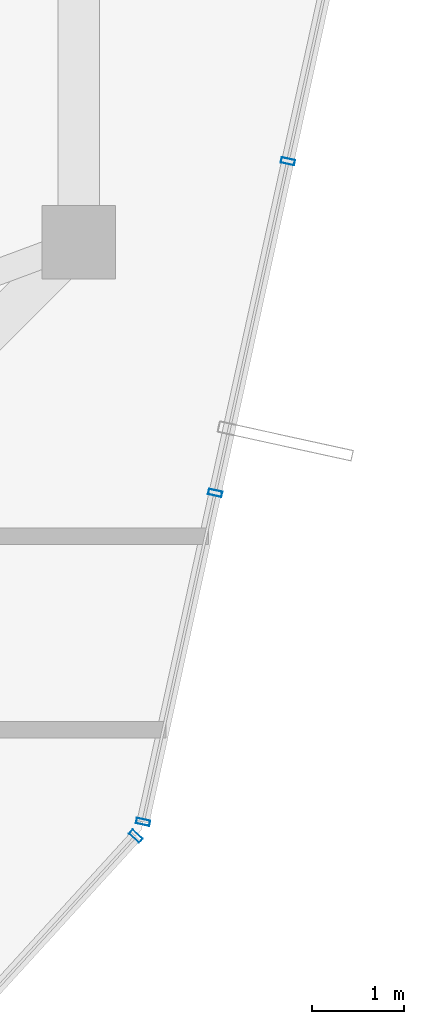
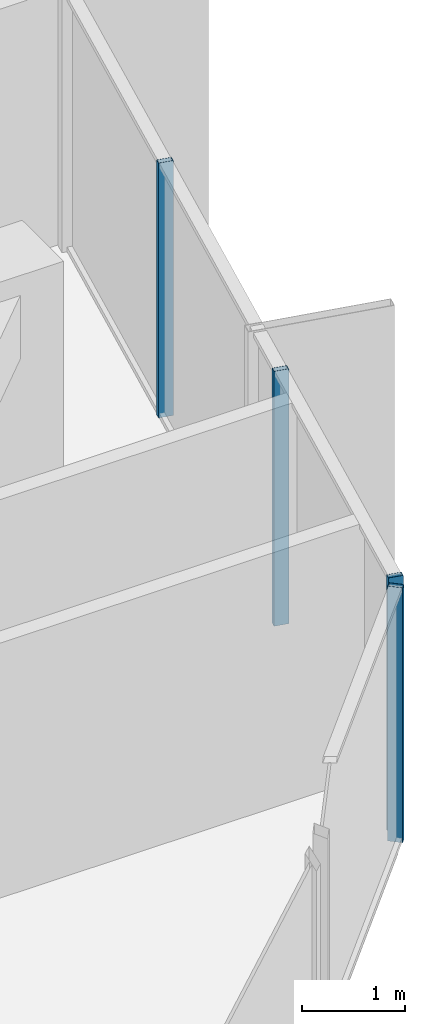
# One storey, part 17 of 28: 4 members, 2 elements without a shape of their own.
"""IFC4 building model written with IfcOpenShell, lengths in metres."""

from ifc_helpers import new_model, si_unit, direction, frame, origin, origin_2d, place, context, subcontext, project, spatial, hollow_rectangle, extrude, source, transform, mapped, material, layer, layer_set, material_profile, profile_set, type_object, element, aggregate, save


model = new_model("IFC4")

# Units and contexts
model_context = context("Model", 3, precision=1e-05, world=origin(), true_north=direction((0.0, 1.0)))
body_context = subcontext(model_context, "Body", "Model", "MODEL_VIEW")
ifc_project = project(units=[si_unit("LENGTHUNIT", "METRE"), si_unit("AREAUNIT", "SQUARE_METRE"), si_unit("VOLUMEUNIT", "CUBIC_METRE"), si_unit("PLANEANGLEUNIT", "RADIAN"), si_unit("MASSUNIT", "GRAM", prefix="KILO")], contexts=[model_context])

# Site, building, storey
site_placement = place(None, origin())
site = spatial("IfcSite", under=ifc_project, at=site_placement, CompositionType="ELEMENT")
building_placement = place(site_placement, origin())
building = spatial("IfcBuilding", under=site, at=building_placement, Name="Veraguas Prism Commons", CompositionType="ELEMENT")
storey_placement = place(building_placement, frame((0.0, 0.0, 251.25)))
storey = spatial("IfcBuildingStorey", under=building, at=storey_placement, Name="L71", CompositionType="ELEMENT", Elevation=251.25)

# Curtain wall, members
ifc_material = material(Name="Anodised aluminium EN AW-6063 T6", Category="aluminium")
ifc_layer = layer(ifc_material, 0.14990234375, Name="Unitised Flush Curtain Wall Zone 4", Category="aluminium")
ifc_layer_set = layer_set([ifc_layer], Name="Anodised aluminium EN AW-6063 T6")
curtain_wall_type = type_object("IfcCurtainWallType", Name="Unitised Flush Curtain Wall Zone 4", PredefinedType="NOTDEFINED", material=ifc_layer_set)
curtain_wall_1_placement = place(storey_placement, origin())
curtain_wall_1 = element("IfcCurtainWall", 1, at=curtain_wall_1_placement, inside=storey, type_object=curtain_wall_type, Name="Tower Facade Curtain Wall L71-F6", PredefinedType="NOTDEFINED")
ifc_material_profile = material_profile(ifc_material, hollow_rectangle(XDim=0.06005859375, YDim=0.14990234375, WallThickness=0.0029296875, at=origin_2d()), Name="AL60X150X3")
ifc_profile_set = profile_set([ifc_material_profile], Name="Anodised aluminium EN AW-6063 T6")
member_type = type_object("IfcMemberType", Name="Curtain Wall Mullion Upper AL 60x150x3", PredefinedType="MULLION", material=ifc_profile_set)
shared_shape = source(origin(), body_context, "Body", "SweptSolid", [
    extrude(hollow_rectangle(XDim=0.06005859375, YDim=0.14990234375, WallThickness=0.0029296875, at=origin_2d()), origin(), (0.0, 0.0, 1.0), 3.014892578125),
])
member_1_placement = place(storey_placement, frame((38.4990234375, 13.295166015625, 0.0), z_axis=(0.0, 0.0, 1.0), x_axis=(0.214053429014, 0.976821953852, 0.0)))
member_1 = element("IfcMember", 2, at=member_1_placement, type_object=member_type, Name="CW-Z4 Mullion 1", PredefinedType="MULLION", context=body_context, shape_type="MappedRepresentation", body=[
    mapped(shared_shape, transform((0.0, 0.0, 0.0), scale=1.0)),
])
member_2_placement = place(storey_placement, frame((39.282958984375, 16.871826171875, 0.0), z_axis=(0.0, 0.0, 1.0), x_axis=(0.214053429014, 0.976821953852, 0.0)))
member_2 = element("IfcMember", 3, at=member_2_placement, type_object=member_type, Name="CW-Z4 Mullion 2", PredefinedType="MULLION", context=body_context, shape_type="MappedRepresentation", body=[
    mapped(shared_shape, transform((0.0, 0.0, 0.0), scale=1.0)),
])
member_3_placement = place(storey_placement, frame((40.072998046875, 20.477783203125, 0.0), z_axis=(0.0, 0.0, 1.0), x_axis=(0.214053429014, 0.976821953852, 0.0)))
member_3 = element("IfcMember", 4, at=member_3_placement, type_object=member_type, Name="CW-Z4 Mullion 3", PredefinedType="MULLION", context=body_context, shape_type="MappedRepresentation", body=[
    mapped(shared_shape, transform((0.0, 0.0, 0.0), scale=1.0)),
])
aggregate(curtain_wall_1, [member_1, member_2, member_3])

# Curtain wall, member
curtain_wall_2_placement = place(storey_placement, origin())
curtain_wall_2 = element("IfcCurtainWall", 5, at=curtain_wall_2_placement, inside=storey, type_object=curtain_wall_type, Name="Chamfer Curtain Wall L71-C6", PredefinedType="NOTDEFINED")
member_4_placement = place(storey_placement, frame((38.419189453125, 13.140625, 0.0), z_axis=(0.0, 0.0, 1.0), x_axis=(0.673794422196, 0.738918856585, 0.0)))
member_4 = element("IfcMember", 6, at=member_4_placement, type_object=member_type, Name="CW-Z4 Mullion 2", PredefinedType="MULLION", context=body_context, shape_type="MappedRepresentation", body=[
    mapped(shared_shape, transform((0.0, 0.0, 0.0), scale=1.0)),
])
aggregate(curtain_wall_2, [member_4])

save(model, "model.ifc")
